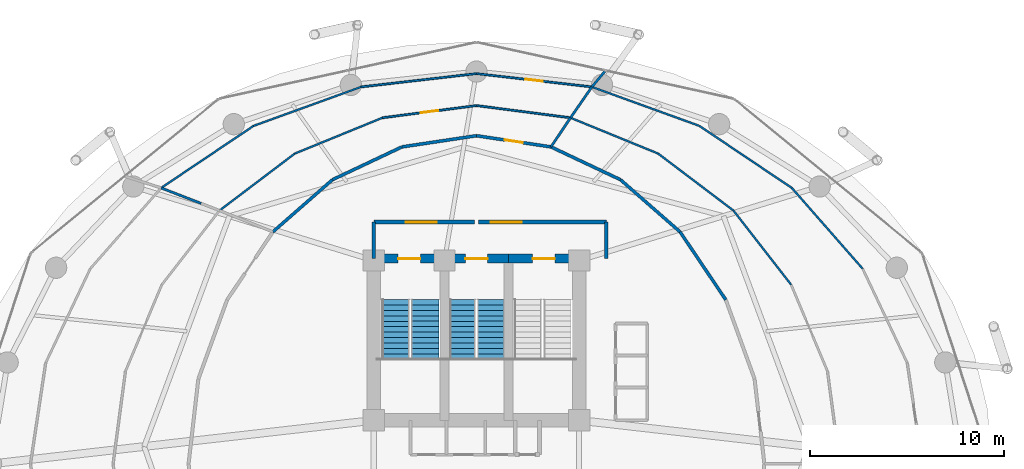
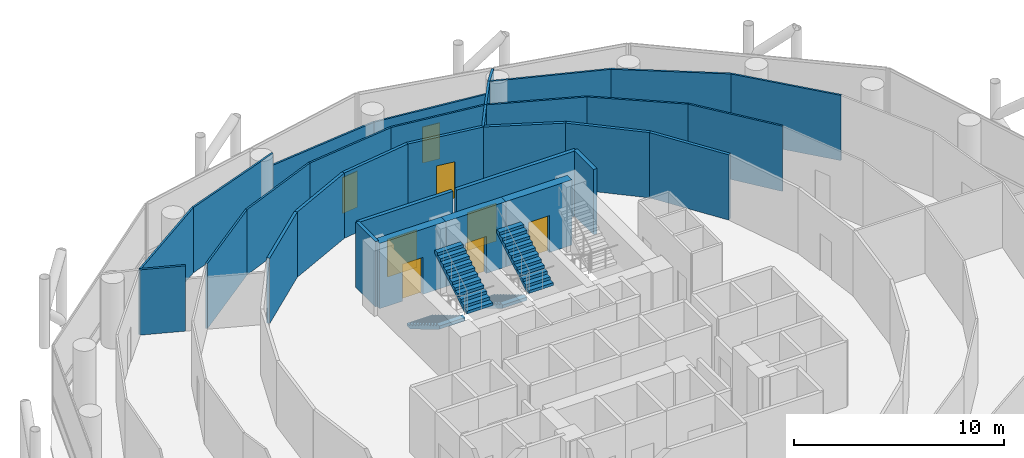
# One storey, part 24 of 26: 32 walls, 8 doors, 4 stair flights, 8 openings, 2 elements without a shape of their own.
"""IFC4 building model written with IfcOpenShell, lengths in metres."""

from ifc_helpers import new_model, si_unit, direction, frame, frame_2d, origin, place, context, subcontext, project, spatial, polyline, rectangle, outline, extrude, material, layer, layer_set, type_object, element, fill, aggregate, save


model = new_model("IFC4")

# Units and contexts
model_context = context("Model", 3, precision=1e-05, world=origin(), true_north=direction((0.0, 1.0)))
body_context = subcontext(model_context, "Body", "Model", "MODEL_VIEW")
ifc_project = project(units=[si_unit("LENGTHUNIT", "METRE"), si_unit("AREAUNIT", "SQUARE_METRE"), si_unit("VOLUMEUNIT", "CUBIC_METRE"), si_unit("PLANEANGLEUNIT", "RADIAN"), si_unit("MASSUNIT", "GRAM", prefix="KILO")], contexts=[model_context])

# Site, building, storey
site_placement = place(None, origin())
site = spatial("IfcSite", under=ifc_project, at=site_placement, CompositionType="ELEMENT")
building_placement = place(site_placement, origin())
building = spatial("IfcBuilding", under=site, at=building_placement, Name="Nuhasar Tower", CompositionType="ELEMENT")
storey_placement = place(building_placement, frame((0.0, 0.0, 93.89990234375)))
storey = spatial("IfcBuildingStorey", under=building, at=storey_placement, Name="L22", CompositionType="ELEMENT", Elevation=93.89990234375)

# Wall, opening, door
ifc_material_1 = material(Name="Concrete C50/60", Category="concrete")
ifc_layer_1 = layer(ifc_material_1, 0.449951171875)
ifc_layer_set_1 = layer_set([ifc_layer_1], Name="Concrete C50/60")
wall_type_1 = type_object("IfcWallType", Name="WL-CORE-450", PredefinedType="SHEAR", material=ifc_layer_set_1)
wall_1_placement = place(storey_placement, frame((37.35009765625, 37.39990234375, 0.0), z_axis=(0.0, 0.0, 1.0), x_axis=(-1.0, 0.0, 0.0)))
wall_1 = element("IfcWall", 1, at=wall_1_placement, inside=storey, type_object=wall_type_1, Name="L22 Stairwell Shear Wall ST01-N", PredefinedType="SHEAR", context=body_context, shape_type="SweptSolid", body=[
    extrude(rectangle(XDim=3.650146484375, YDim=0.449951171875, at=frame_2d((1.8251953125, 0.0))), origin(), (0.0, 0.0, 1.0), 3.800048828125),
])
opening_1_placement = place(wall_1_placement, frame((1.25, 0.0, 0.0)))
opening_1 = element("IfcOpeningElement", 2, at=opening_1_placement, cuts=wall_1, Name="Opening DS-01", PredefinedType="OPENING", context=body_context, shape_type="SweptSolid", body=[
    extrude(rectangle(XDim=1.14990234375, YDim=2.14990234375, at=frame_2d((0.574951171875, 1.074951171875))), frame((0.0, 0.23486328125, 0.0), z_axis=(0.0, -1.0, 0.0), x_axis=(1.0, 0.0, 0.0)), (0.0, 0.0, 1.0), 0.469970703125),
])
ifc_material_2 = material(Name="Steel S355", Category="steel")
door_type_1 = type_object("IfcDoorType", Name="DR-STAIR-FD120-1150", OperationType="NOTDEFINED", PredefinedType="DOOR", material=ifc_material_2)
door_1_placement = place(opening_1_placement, origin())
door_1 = element("IfcDoor", 3, at=door_1_placement, inside=storey, type_object=door_type_1, Name="L22 Exit Stair ST-01 Door", OperationType="SINGLE_SWING_RIGHT", OverallHeight=2.14990234375, OverallWidth=1.14990234375, PredefinedType="DOOR", context=body_context, shape_type="SweptSolid", body=[
    extrude(rectangle(XDim=1.14990234375, YDim=2.14990234375, at=frame_2d((0.574951171875, 1.074951171875))), frame((0.0, 0.02490234375, 0.0), z_axis=(0.0, -1.0, 0.0), x_axis=(1.0, 0.0, 0.0)), (0.0, 0.0, 1.0), 0.050048828125),
])
fill(opening_1, door_1)

wall_2_placement = place(storey_placement, frame((40.64990234375, 37.39990234375, 0.0), z_axis=(0.0, 0.0, 1.0), x_axis=(-1.0, 0.0, 0.0)))
wall_2 = element("IfcWall", 4, at=wall_2_placement, inside=storey, type_object=wall_type_1, Name="L22 Stairwell Shear Wall ST03-N", PredefinedType="SHEAR", context=body_context, shape_type="SweptSolid", body=[
    extrude(rectangle(XDim=3.2998046875, YDim=0.449951171875, at=frame_2d((1.64990234375, 0.0))), origin(), (0.0, 0.0, 1.0), 3.800048828125),
])
opening_2_placement = place(wall_2_placement, frame((1.074951171875, 0.0, 0.0)))
opening_2 = element("IfcOpeningElement", 5, at=opening_2_placement, cuts=wall_2, Name="Opening DS-01", PredefinedType="OPENING", context=body_context, shape_type="SweptSolid", body=[
    extrude(rectangle(XDim=1.14990234375, YDim=2.14990234375, at=frame_2d((0.574951171875, 1.074951171875))), frame((0.0, 0.23486328125, 0.0), z_axis=(0.0, -1.0, 0.0), x_axis=(1.0, 0.0, 0.0)), (0.0, 0.0, 1.0), 0.469970703125),
])
door_2_placement = place(opening_2_placement, origin())
door_2 = element("IfcDoor", 6, at=door_2_placement, inside=storey, type_object=door_type_1, Name="L22 Exit Stair ST-03 Door", OperationType="SINGLE_SWING_RIGHT", OverallHeight=2.14990234375, OverallWidth=1.14990234375, PredefinedType="DOOR", context=body_context, shape_type="SweptSolid", body=[
    extrude(rectangle(XDim=1.14990234375, YDim=2.14990234375, at=frame_2d((0.574951171875, 1.074951171875))), frame((0.0, 0.02490234375, 0.0), z_axis=(0.0, -1.0, 0.0), x_axis=(1.0, 0.0, 0.0)), (0.0, 0.0, 1.0), 0.050048828125),
])
fill(opening_2, door_2)

wall_3_placement = place(storey_placement, frame((44.300048828125, 37.39990234375, 0.0), z_axis=(0.0, 0.0, 1.0), x_axis=(-1.0, 0.0, 0.0)))
wall_3 = element("IfcWall", 7, at=wall_3_placement, inside=storey, type_object=wall_type_1, Name="L22 Stairwell Shear Wall ST02-N", PredefinedType="SHEAR", context=body_context, shape_type="SweptSolid", body=[
    extrude(rectangle(XDim=3.650146484375, YDim=0.449951171875, at=frame_2d((1.8251953125, 0.0))), origin(), (0.0, 0.0, 1.0), 3.800048828125),
])
opening_3_placement = place(wall_3_placement, frame((1.25, 0.0, 0.0)))
opening_3 = element("IfcOpeningElement", 8, at=opening_3_placement, cuts=wall_3, Name="Opening DS-01", PredefinedType="OPENING", context=body_context, shape_type="SweptSolid", body=[
    extrude(rectangle(XDim=1.14990234375, YDim=2.14990234375, at=frame_2d((0.574951171875, 1.074951171875))), frame((0.0, 0.23486328125, 0.0), z_axis=(0.0, -1.0, 0.0), x_axis=(1.0, 0.0, 0.0)), (0.0, 0.0, 1.0), 0.469970703125),
])
door_3_placement = place(opening_3_placement, origin())
door_3 = element("IfcDoor", 9, at=door_3_placement, inside=storey, type_object=door_type_1, Name="L22 Exit Stair ST-02 Door", OperationType="SINGLE_SWING_LEFT", OverallHeight=2.14990234375, OverallWidth=1.14990234375, PredefinedType="DOOR", context=body_context, shape_type="SweptSolid", body=[
    extrude(rectangle(XDim=1.14990234375, YDim=2.14990234375, at=frame_2d((0.574951171875, 1.074951171875))), frame((0.0, 0.02490234375, 0.0), z_axis=(0.0, -1.0, 0.0), x_axis=(1.0, 0.0, 0.0)), (0.0, 0.0, 1.0), 0.050048828125),
])
fill(opening_3, door_3)

# Walls
ifc_material_3 = material(Name="Gypsum Board", Category="gypsum")
ifc_layer_2 = layer(ifc_material_3, 0.159912109375)
ifc_layer_set_2 = layer_set([ifc_layer_2], Name="Gypsum Board")
wall_type_2 = type_object("IfcWallType", Name="WL-CORR-160", PredefinedType="PARTITIONING", material=ifc_layer_set_2)
wall_4_placement = place(storey_placement, frame((51.868896484375, 35.27001953125, 0.0), z_axis=(0.0, 0.0, 1.0), x_axis=(-0.558319056182, 0.829626320402, 0.0)))
element("IfcWall", 10, at=wall_4_placement, inside=storey, type_object=wall_type_2, Name="L22 Interior Partition CORR-04", PredefinedType="PARTITIONING", context=body_context, shape_type="SweptSolid", body=[
    extrude(rectangle(XDim=4.228515625, YDim=0.159912109375, at=frame_2d((2.1142578125, 0.0))), origin(), (0.0, 0.0, 1.0), 3.800048828125),
])
wall_5_placement = place(storey_placement, frame((49.508056640625, 38.778076171875, 0.0), z_axis=(0.0, 0.0, 1.0), x_axis=(-0.75275419575, 0.658301694348, 0.0)))
element("IfcWall", 11, at=wall_5_placement, inside=storey, type_object=wall_type_2, Name="L22 Interior Partition CORR-06", PredefinedType="PARTITIONING", context=body_context, shape_type="SweptSolid", body=[
    extrude(rectangle(XDim=4.089111328125, YDim=0.159912109375, at=frame_2d((2.04443359375, 0.0))), origin(), (0.0, 0.0, 1.0), 3.800048828125),
])
wall_6_placement = place(storey_placement, frame((46.429931640625, 41.469970703125, 0.0), z_axis=(0.0, 0.0, 1.0), x_axis=(-0.904182574226, 0.427146195658, 0.0)))
element("IfcWall", 12, at=wall_6_placement, inside=storey, type_object=wall_type_2, Name="L22 Interior Partition CORR-08", PredefinedType="PARTITIONING", context=body_context, shape_type="SweptSolid", body=[
    extrude(rectangle(XDim=3.9638671875, YDim=0.159912109375, at=frame_2d((1.98193359375, 0.0))), origin(), (0.0, 0.0, 1.0), 3.800048828125),
])

# Wall, opening, door
wall_7_placement = place(storey_placement, frame((39.0, 43.739990234375, 0.0), z_axis=(0.0, 0.0, 1.0), x_axis=(0.988935892392, -0.14834352274, 0.0)))
wall_7 = element("IfcWall", 13, at=wall_7_placement, inside=storey, type_object=wall_type_2, Name="L22 Interior Partition CORR-10", PredefinedType="PARTITIONING", context=body_context, shape_type="SweptSolid", body=[
    extrude(rectangle(XDim=3.888916015625, YDim=0.159912109375, at=frame_2d((1.9443359375, 0.0))), origin(), (0.0, 0.0, 1.0), 3.800048828125),
])
opening_4_placement = place(wall_7_placement, frame((1.469970703125, 0.0, 0.0)))
opening_4 = element("IfcOpeningElement", 14, at=opening_4_placement, cuts=wall_7, Name="Opening DO-01", PredefinedType="OPENING", context=body_context, shape_type="SweptSolid", body=[
    extrude(rectangle(XDim=0.949951171875, YDim=2.14990234375, at=frame_2d((0.47509765625, 1.074951171875))), frame((0.0, 0.08984375, 0.0), z_axis=(0.0, -1.0, 0.0), x_axis=(1.0, 0.0, 0.0)), (0.0, 0.0, 1.0), 0.179931640625),
])
ifc_material_4 = material(Name="Timber Oak", Category="wood")
door_type_2 = type_object("IfcDoorType", Name="DR-OFFICE-FD30-950", OperationType="NOTDEFINED", PredefinedType="DOOR", material=ifc_material_4)
door_4_placement = place(opening_4_placement, origin())
door_4 = element("IfcDoor", 15, at=door_4_placement, inside=storey, type_object=door_type_2, Name="L22 Executive Boardroom Entry Door", OperationType="SINGLE_SWING_RIGHT", OverallHeight=2.14990234375, OverallWidth=0.949951171875, PredefinedType="DOOR", context=body_context, shape_type="SweptSolid", body=[
    extrude(rectangle(XDim=0.949951171875, YDim=2.14990234375, at=frame_2d((0.47509765625, 1.074951171875))), frame((0.0, 0.02490234375, 0.0), z_axis=(0.0, -1.0, 0.0), x_axis=(1.0, 0.0, 0.0)), (0.0, 0.0, 1.0), 0.050048828125),
])
fill(opening_4, door_4)

# Walls
wall_8_placement = place(storey_placement, frame((39.0, 43.739990234375, 0.0), z_axis=(0.0, 0.0, 1.0), x_axis=(-0.988935892392, -0.14834352274, 0.0)))
element("IfcWall", 16, at=wall_8_placement, inside=storey, type_object=wall_type_2, Name="L22 Interior Partition CORR-12", PredefinedType="PARTITIONING", context=body_context, shape_type="SweptSolid", body=[
    extrude(rectangle(XDim=3.888916015625, YDim=0.159912109375, at=frame_2d((1.9443359375, 0.0))), origin(), (0.0, 0.0, 1.0), 3.800048828125),
])
wall_9_placement = place(storey_placement, frame((35.154052734375, 43.1630859375, 0.0), z_axis=(0.0, 0.0, 1.0), x_axis=(-0.904182574226, -0.427146195658, 0.0)))
element("IfcWall", 17, at=wall_9_placement, inside=storey, type_object=wall_type_2, Name="L22 Interior Partition CORR-14", PredefinedType="PARTITIONING", context=body_context, shape_type="SweptSolid", body=[
    extrude(rectangle(XDim=3.9638671875, YDim=0.159912109375, at=frame_2d((1.98193359375, 0.0))), origin(), (0.0, 0.0, 1.0), 3.800048828125),
])
wall_10_placement = place(storey_placement, frame((31.570068359375, 41.469970703125, 0.0), z_axis=(0.0, 0.0, 1.0), x_axis=(-0.75275419575, -0.658301694348, 0.0)))
element("IfcWall", 18, at=wall_10_placement, inside=storey, type_object=wall_type_2, Name="L22 Interior Partition CORR-16", PredefinedType="PARTITIONING", context=body_context, shape_type="SweptSolid", body=[
    extrude(rectangle(XDim=4.089111328125, YDim=0.159912109375, at=frame_2d((2.04443359375, 0.0))), origin(), (0.0, 0.0, 1.0), 3.800048828125),
])
ifc_material_5 = material(Name="Concrete C45/55", Category="concrete")
ifc_layer_3 = layer(ifc_material_5, 0.199951171875)
ifc_layer_set_3 = layer_set([ifc_layer_3], Name="Concrete C45/55")
wall_type_3 = type_object("IfcWallType", Name="WL-LOBBY-200", PredefinedType="SOLIDWALL", material=ifc_layer_set_3)
for number, where, z_axis, x_axis, name in (
    (19, (33.699951171875, 37.39990234375, 0.0), (0.0, 0.0, 1.0), (0.0, 1.0, 0.0), "L22 Interior Partition NSL-W"),
    (20, (45.699951171875, 37.39990234375, 0.0), (0.0, 0.0, 1.0), (0.0, 1.0, 0.0), "L22 Interior Partition NSL-E"),
):
    element("IfcWall", number, at=place(storey_placement, frame(where, z_axis=z_axis, x_axis=x_axis)), inside=storey, type_object=wall_type_3, Name=name, PredefinedType="SOLIDWALL", context=body_context, shape_type="SweptSolid", body=[
        extrude(rectangle(XDim=1.880126953125, YDim=0.199951171875, at=frame_2d((0.93994140625, 0.0))), origin(), (0.0, 0.0, 1.0), 3.800048828125),
    ])

# Wall, opening, door
wall_11_placement = place(storey_placement, frame((38.89990234375, 39.280029296875, 0.0), z_axis=(0.0, 0.0, 1.0), x_axis=(-1.0, 0.0, 0.0)))
wall_11 = element("IfcWall", 21, at=wall_11_placement, inside=storey, type_object=wall_type_3, Name="L22 Interior Partition NSL-N1", PredefinedType="SOLIDWALL", context=body_context, shape_type="SweptSolid", body=[
    extrude(rectangle(XDim=5.199951171875, YDim=0.199951171875, at=frame_2d((2.60009765625, 0.0))), origin(), (0.0, 0.0, 1.0), 3.800048828125),
])
opening_5_placement = place(wall_11_placement, frame((1.949951171875, 0.0, 0.0)))
opening_5 = element("IfcOpeningElement", 22, at=opening_5_placement, cuts=wall_11, Name="Opening DC-01", PredefinedType="OPENING", context=body_context, shape_type="SweptSolid", body=[
    extrude(rectangle(XDim=1.60009765625, YDim=2.199951171875, at=frame_2d((0.800048828125, 1.10009765625))), frame((0.0, 0.10986328125, 0.0), z_axis=(0.0, -1.0, 0.0), x_axis=(1.0, 0.0, 0.0)), (0.0, 0.0, 1.0), 0.219970703125),
])
door_type_3 = type_object("IfcDoorType", Name="DR-CORR-FD60-1600", OperationType="DOUBLE_DOOR_SINGLE_SWING", PredefinedType="DOOR", material=ifc_material_2)
door_5_placement = place(opening_5_placement, origin())
door_5 = element("IfcDoor", 23, at=door_5_placement, inside=storey, type_object=door_type_3, Name="L22 North Stair Lobby West Door", OperationType="DOUBLE_DOOR_SINGLE_SWING", OverallHeight=2.199951171875, OverallWidth=1.60009765625, PredefinedType="DOOR", context=body_context, shape_type="SweptSolid", body=[
    extrude(rectangle(XDim=1.60009765625, YDim=2.199951171875, at=frame_2d((0.800048828125, 1.10009765625))), frame((0.0, 0.02490234375, 0.0), z_axis=(0.0, -1.0, 0.0), x_axis=(1.0, 0.0, 0.0)), (0.0, 0.0, 1.0), 0.050048828125),
])
fill(opening_5, door_5)

wall_12_placement = place(storey_placement, frame((45.699951171875, 39.280029296875, 0.0), z_axis=(0.0, 0.0, 1.0), x_axis=(-1.0, 0.0, 0.0)))
wall_12 = element("IfcWall", 24, at=wall_12_placement, inside=storey, type_object=wall_type_3, Name="L22 Interior Partition NSL-N2", PredefinedType="SOLIDWALL", context=body_context, shape_type="SweptSolid", body=[
    extrude(rectangle(XDim=6.599853515625, YDim=0.199951171875, at=frame_2d((3.2998046875, 0.0))), origin(), (0.0, 0.0, 1.0), 3.800048828125),
])
opening_6_placement = place(wall_12_placement, frame((4.35009765625, 0.0, 0.0)))
opening_6 = element("IfcOpeningElement", 25, at=opening_6_placement, cuts=wall_12, Name="Opening DC-01", PredefinedType="OPENING", context=body_context, shape_type="SweptSolid", body=[
    extrude(rectangle(XDim=1.60009765625, YDim=2.199951171875, at=frame_2d((0.800048828125, 1.10009765625))), frame((0.0, 0.10986328125, 0.0), z_axis=(0.0, -1.0, 0.0), x_axis=(1.0, 0.0, 0.0)), (0.0, 0.0, 1.0), 0.219970703125),
])
door_6_placement = place(opening_6_placement, origin())
door_6 = element("IfcDoor", 26, at=door_6_placement, inside=storey, type_object=door_type_3, Name="L22 North Stair Lobby East Door", OperationType="DOUBLE_DOOR_SINGLE_SWING", OverallHeight=2.199951171875, OverallWidth=1.60009765625, PredefinedType="DOOR", context=body_context, shape_type="SweptSolid", body=[
    extrude(rectangle(XDim=1.60009765625, YDim=2.199951171875, at=frame_2d((0.800048828125, 1.10009765625))), frame((0.0, 0.02490234375, 0.0), z_axis=(0.0, -1.0, 0.0), x_axis=(1.0, 0.0, 0.0)), (0.0, 0.0, 1.0), 0.050048828125),
])
fill(opening_6, door_6)

# Walls
ifc_material_6 = material(Name="Aluminium 6063-T6", Category="aluminium")
ifc_layer_4 = layer(ifc_material_6, 0.10009765625)
ifc_layer_set_4 = layer_set([ifc_layer_4], Name="Aluminium 6063-T6")
wall_type_4 = type_object("IfcWallType", Name="WL-MOVABLE-100", PredefinedType="MOVABLE", material=ifc_layer_set_4)
wall_13_placement = place(storey_placement, frame((55.241943359375, 36.048095703125, 0.0), z_axis=(0.0, 0.0, 1.0), x_axis=(-0.613999814684, 0.789306168459, 0.0)))
element("IfcWall", 27, at=wall_13_placement, inside=storey, type_object=wall_type_4, Name="L22 Interior Partition OR1-01-04", PredefinedType="MOVABLE", context=body_context, shape_type="SweptSolid", body=[
    extrude(rectangle(XDim=4.853271484375, YDim=0.10009765625, at=frame_2d((2.4267578125, 0.0))), origin(), (0.0, 0.0, 1.0), 3.800048828125),
])
wall_14_placement = place(storey_placement, frame((52.261962890625, 39.87890625, 0.0), z_axis=(0.0, 0.0, 1.0), x_axis=(-0.797485241188, 0.60333845401, 0.0)))
element("IfcWall", 28, at=wall_14_placement, inside=storey, type_object=wall_type_4, Name="L22 Interior Partition OR1-01-06", PredefinedType="MOVABLE", context=body_context, shape_type="SweptSolid", body=[
    extrude(rectangle(XDim=4.87158203125, YDim=0.10009765625, at=frame_2d((2.435791015625, 0.0))), origin(), (0.0, 0.0, 1.0), 3.800048828125),
])
wall_15_placement = place(storey_placement, frame((48.376953125, 42.818115234375, 0.0), z_axis=(0.0, 0.0, 1.0), x_axis=(-0.925718788243, 0.378212539577, 0.0)))
element("IfcWall", 29, at=wall_15_placement, inside=storey, type_object=wall_type_4, Name="L22 Interior Partition OR1-01-08", PredefinedType="MOVABLE", context=body_context, shape_type="SweptSolid", body=[
    extrude(rectangle(XDim=4.885986328125, YDim=0.10009765625, at=frame_2d((2.44287109375, 0.0))), origin(), (0.0, 0.0, 1.0), 3.800048828125),
])
wall_16_placement = place(storey_placement, frame((58.93408203125, 36.873046875, 0.0), z_axis=(0.0, 0.0, 1.0), x_axis=(-0.659301696391, 0.751878496258, 0.0)))
element("IfcWall", 30, at=wall_16_placement, inside=storey, type_object=wall_type_4, Name="L22 Interior Partition OR2-01-04", PredefinedType="MOVABLE", context=body_context, shape_type="SweptSolid", body=[
    extrude(rectangle(XDim=5.548583984375, YDim=0.10009765625, at=frame_2d((2.7744140625, 0.0))), origin(), (0.0, 0.0, 1.0), 3.800048828125),
])
wall_17_placement = place(storey_placement, frame((55.27587890625, 41.044921875, 0.0), z_axis=(0.0, 0.0, 1.0), x_axis=(-0.830174745772, 0.557503265893, 0.0)))
element("IfcWall", 31, at=wall_17_placement, inside=storey, type_object=wall_type_4, Name="L22 Interior Partition OR2-01-06", PredefinedType="MOVABLE", context=body_context, shape_type="SweptSolid", body=[
    extrude(rectangle(XDim=5.741943359375, YDim=0.10009765625, at=frame_2d((2.87109375, 0.0))), origin(), (0.0, 0.0, 1.0), 3.800048828125),
])
wall_18_placement = place(storey_placement, frame((50.509033203125, 44.24609375, 0.0), z_axis=(0.0, 0.0, 1.0), x_axis=(-0.940117685929, 0.340850020689, 0.0)))
element("IfcWall", 32, at=wall_18_placement, inside=storey, type_object=wall_type_4, Name="L22 Interior Partition OR2-01-08", PredefinedType="MOVABLE", context=body_context, shape_type="SweptSolid", body=[
    extrude(rectangle(XDim=5.90576171875, YDim=0.10009765625, at=frame_2d((2.952880859375, 0.0))), origin(), (0.0, 0.0, 1.0), 3.800048828125),
])
wall_19_placement = place(storey_placement, frame((43.85400390625, 44.666015625, 0.0), z_axis=(0.0, 0.0, 1.0), x_axis=(-0.991685305255, 0.128686655646, 0.0)))
element("IfcWall", 33, at=wall_19_placement, inside=storey, type_object=wall_type_4, Name="L22 Interior Partition OR1-02-10", PredefinedType="MOVABLE", context=body_context, shape_type="SweptSolid", body=[
    extrude(rectangle(XDim=4.894775390625, YDim=0.10009765625, at=frame_2d((2.447265625, 0.0))), origin(), (0.0, 0.0, 1.0), 3.800048828125),
])

# Wall, opening, door
wall_20_placement = place(storey_placement, frame((39.0, 45.2958984375, 0.0), z_axis=(0.0, 0.0, 1.0), x_axis=(-0.991685305255, -0.128686655646, 0.0)))
wall_20 = element("IfcWall", 34, at=wall_20_placement, inside=storey, type_object=wall_type_4, Name="L22 Interior Partition OR1-02-12", PredefinedType="MOVABLE", context=body_context, shape_type="SweptSolid", body=[
    extrude(rectangle(XDim=4.894775390625, YDim=0.10009765625, at=frame_2d((2.447265625, 0.0))), origin(), (0.0, 0.0, 1.0), 3.800048828125),
])
opening_7_placement = place(wall_20_placement, frame((1.9970703125, 0.0, 0.0)))
opening_7 = element("IfcOpeningElement", 35, at=opening_7_placement, cuts=wall_20, Name="Opening DR-01", PredefinedType="OPENING", context=body_context, shape_type="SweptSolid", body=[
    extrude(rectangle(XDim=0.89990234375, YDim=2.10009765625, at=frame_2d((0.449951171875, 1.050048828125))), frame((0.0, 0.06005859375, 0.0), z_axis=(0.0, -1.0, 0.0), x_axis=(1.0, 0.0, 0.0)), (0.0, 0.0, 1.0), 0.1201171875),
])
door_type_4 = type_object("IfcDoorType", Name="DR-ROOM-900", OperationType="NOTDEFINED", PredefinedType="DOOR", material=ifc_material_4)
door_7_placement = place(opening_7_placement, origin())
door_7 = element("IfcDoor", 36, at=door_7_placement, inside=storey, type_object=door_type_4, Name="L22 Executive Boardroom Mid Door", OperationType="SINGLE_SWING_RIGHT", OverallHeight=2.10009765625, OverallWidth=0.89990234375, PredefinedType="DOOR", context=body_context, shape_type="SweptSolid", body=[
    extrude(rectangle(XDim=0.89990234375, YDim=2.10009765625, at=frame_2d((0.449951171875, 1.050048828125))), frame((0.0, 0.02490234375, 0.0), z_axis=(0.0, -1.0, 0.0), x_axis=(1.0, 0.0, 0.0)), (0.0, 0.0, 1.0), 0.050048828125),
])
fill(opening_7, door_7)

# Walls
wall_21_placement = place(storey_placement, frame((34.14599609375, 44.666015625, 0.0), z_axis=(0.0, 0.0, 1.0), x_axis=(-0.925718788243, -0.378212539577, 0.0)))
element("IfcWall", 37, at=wall_21_placement, inside=storey, type_object=wall_type_4, Name="L22 Interior Partition OR1-02-14", PredefinedType="MOVABLE", context=body_context, shape_type="SweptSolid", body=[
    extrude(rectangle(XDim=4.885986328125, YDim=0.10009765625, at=frame_2d((2.44287109375, 0.0))), origin(), (0.0, 0.0, 1.0), 3.800048828125),
])
wall_22_placement = place(storey_placement, frame((29.623046875, 42.818115234375, 0.0), z_axis=(0.0, 0.0, 1.0), x_axis=(-0.797485241188, -0.60333845401, 0.0)))
element("IfcWall", 38, at=wall_22_placement, inside=storey, type_object=wall_type_4, Name="L22 Interior Partition OR1-02-16", PredefinedType="MOVABLE", context=body_context, shape_type="SweptSolid", body=[
    extrude(rectangle(XDim=4.87158203125, YDim=0.10009765625, at=frame_2d((2.435791015625, 0.0))), origin(), (0.0, 0.0, 1.0), 3.800048828125),
])

# Wall, opening, door
wall_23_placement = place(storey_placement, frame((44.95703125, 46.259033203125, 0.0), z_axis=(0.0, 0.0, 1.0), x_axis=(-0.993433875949, 0.114407753747, 0.0)))
wall_23 = element("IfcWall", 39, at=wall_23_placement, inside=storey, type_object=wall_type_4, Name="L22 Interior Partition OR2-02-10", PredefinedType="MOVABLE", context=body_context, shape_type="SweptSolid", body=[
    extrude(rectangle(XDim=5.996337890625, YDim=0.10009765625, at=frame_2d((2.998046875, 0.0))), origin(), (0.0, 0.0, 1.0), 3.10498046875),
])
opening_8_placement = place(wall_23_placement, frame((2.548095703125, 0.0, 0.0)))
opening_8 = element("IfcOpeningElement", 40, at=opening_8_placement, cuts=wall_23, Name="Opening DR-01", PredefinedType="OPENING", context=body_context, shape_type="SweptSolid", body=[
    extrude(rectangle(XDim=0.89990234375, YDim=2.10009765625, at=frame_2d((0.449951171875, 1.050048828125))), frame((0.0, 0.06005859375, 0.0), z_axis=(0.0, -1.0, 0.0), x_axis=(1.0, 0.0, 0.0)), (0.0, 0.0, 1.0), 0.1201171875),
])
door_8_placement = place(opening_8_placement, origin())
door_8 = element("IfcDoor", 41, at=door_8_placement, inside=storey, type_object=door_type_4, Name="L22 Executive Boardroom Outer Door", OperationType="SINGLE_SWING_LEFT", OverallHeight=2.10009765625, OverallWidth=0.89990234375, PredefinedType="DOOR", context=body_context, shape_type="SweptSolid", body=[
    extrude(rectangle(XDim=0.89990234375, YDim=2.10009765625, at=frame_2d((0.449951171875, 1.050048828125))), frame((0.0, 0.02490234375, 0.0), z_axis=(0.0, -1.0, 0.0), x_axis=(1.0, 0.0, 0.0)), (0.0, 0.0, 1.0), 0.050048828125),
])
fill(opening_8, door_8)

# Walls
wall_24_placement = place(storey_placement, frame((39.0, 46.945068359375, 0.0), z_axis=(0.0, 0.0, 1.0), x_axis=(-0.993433875949, -0.114407753747, 0.0)))
element("IfcWall", 42, at=wall_24_placement, inside=storey, type_object=wall_type_4, Name="L22 Interior Partition OR2-02-12", PredefinedType="MOVABLE", context=body_context, shape_type="SweptSolid", body=[
    extrude(rectangle(XDim=5.996337890625, YDim=0.10009765625, at=frame_2d((2.998046875, 0.0))), origin(), (0.0, 0.0, 1.0), 3.10498046875),
])
wall_25_placement = place(storey_placement, frame((33.04296875, 46.259033203125, 0.0), z_axis=(0.0, 0.0, 1.0), x_axis=(-0.940117685929, -0.340850020689, 0.0)))
element("IfcWall", 43, at=wall_25_placement, inside=storey, type_object=wall_type_4, Name="L22 Interior Partition OR2-02-14", PredefinedType="MOVABLE", context=body_context, shape_type="SweptSolid", body=[
    extrude(rectangle(XDim=5.90576171875, YDim=0.10009765625, at=frame_2d((2.952880859375, 0.0))), origin(), (0.0, 0.0, 1.0), 3.800048828125),
])
wall_26_placement = place(storey_placement, frame((27.490966796875, 44.24609375, 0.0), z_axis=(0.0, 0.0, 1.0), x_axis=(-0.830174745772, -0.557503265893, 0.0)))
element("IfcWall", 44, at=wall_26_placement, inside=storey, type_object=wall_type_4, Name="L22 Interior Partition OR2-02-16", PredefinedType="MOVABLE", context=body_context, shape_type="SweptSolid", body=[
    extrude(rectangle(XDim=5.741943359375, YDim=0.10009765625, at=frame_2d((2.87109375, 0.0))), origin(), (0.0, 0.0, 1.0), 3.800048828125),
])
ifc_layer_5 = layer(ifc_material_3, 0.125)
ifc_layer_set_5 = layer_set([ifc_layer_5], Name="Gypsum Board")
wall_type_5 = type_object("IfcWallType", Name="WL-PART-125", PredefinedType="PARTITIONING", material=ifc_layer_set_5)
wall_27_placement = place(storey_placement, frame((42.845947265625, 43.1630859375, 0.0), z_axis=(0.0, 0.0, 1.0), x_axis=(0.557032949089, 0.83049039346, 0.0)))
element("IfcWall", 45, at=wall_27_placement, inside=storey, type_object=wall_type_5, Name="L22 Interior Partition ORAD7-10-S1", PredefinedType="PARTITIONING", context=body_context, shape_type="SweptSolid", body=[
    extrude(rectangle(XDim=1.8095703125, YDim=0.125, at=frame_2d((0.90478515625, 0.0))), origin(), (0.0, 0.0, 1.0), 3.800048828125),
])
wall_28_placement = place(storey_placement, frame((43.85400390625, 44.666015625, 0.0), z_axis=(0.0, 0.0, 1.0), x_axis=(0.569268945464, 0.822151365461, 0.0)))
element("IfcWall", 46, at=wall_28_placement, inside=storey, type_object=wall_type_5, Name="L22 Interior Partition ORAD7-10-S2", PredefinedType="PARTITIONING", context=body_context, shape_type="SweptSolid", body=[
    extrude(rectangle(XDim=1.9375, YDim=0.125, at=frame_2d((0.96875, 0.0))), origin(), (0.0, 0.0, 1.0), 3.800048828125),
])
wall_29_placement = place(storey_placement, frame((44.95703125, 46.259033203125, 0.0), z_axis=(0.0, 0.0, 1.0), x_axis=(0.640184399664, 0.768221279597, 0.0)))
element("IfcWall", 47, at=wall_29_placement, inside=storey, type_object=wall_type_5, Name="L22 Interior Partition ORAD7-10-S3", PredefinedType="PARTITIONING", context=body_context, shape_type="SweptSolid", body=[
    extrude(rectangle(XDim=1.054443359375, YDim=0.125, at=frame_2d((0.52734375, 0.0))), origin(), (0.0, 0.0, 1.0), 3.800048828125),
])
wall_30_placement = place(storey_placement, frame((24.791015625, 40.2451171875, 0.0), z_axis=(0.0, 0.0, 1.0), x_axis=(-0.932611158557, 0.360882843779, 0.0)))
element("IfcWall", 48, at=wall_30_placement, inside=storey, type_object=wall_type_5, Name="L22 Interior Partition ORAD7-18-S2", PredefinedType="PARTITIONING", context=body_context, shape_type="SweptSolid", body=[
    extrude(rectangle(XDim=2.21630859375, YDim=0.125, at=frame_2d((1.108154296875, 0.0))), origin(), (0.0, 0.0, 1.0), 3.800048828125),
])

# Stair, stair flights
stair_type_1 = type_object("IfcStairType", Name="STR-ST-01-2F-24R-1688", PredefinedType="HALF_TURN_STAIR", material=ifc_material_5)
stair_1_placement = place(storey_placement, origin())
stair_1 = element("IfcStair", 49, at=stair_1_placement, inside=storey, type_object=stair_type_1, Name="L22 Exit Stair ST-01", PredefinedType="HALF_TURN_STAIR")
stair_flight_type_1 = type_object("IfcStairFlightType", Name="SFL-ST-01-12R-1688", PredefinedType="STRAIGHT", material=ifc_material_5)
stair_flight_1_placement = place(storey_placement, frame((34.830078125, 35.284912109375, 0.0), z_axis=(0.0, 0.0, 1.0), x_axis=(0.0, -1.0, 0.0)))
stair_flight_1 = element("IfcStairFlight", 50, at=stair_flight_1_placement, type_object=stair_flight_type_1, Name="ST-01 flight 1", NumberOfRisers=12, NumberOfTreads=11, PredefinedType="STRAIGHT", RiserHeight=0.16875, TreadLength=0.28, context=body_context, shape_type="SweptSolid", body=[
    extrude(outline(polyline([(0.0, 0.0), (0.0, 0.168701171875), (0.280029296875, 0.168701171875), (0.280029296875, 0.33740234375), (0.56005859375, 0.33740234375), (0.56005859375, 0.50634765625), (0.840087890625, 0.50634765625), (0.840087890625, 0.675048828125), (1.1201171875, 0.675048828125), (1.1201171875, 0.84375), (1.39990234375, 0.84375), (1.39990234375, 1.012451171875), (1.679931640625, 1.012451171875), (1.679931640625, 1.18115234375), (1.9599609375, 1.18115234375), (1.9599609375, 1.35009765625), (2.239990234375, 1.35009765625), (2.239990234375, 1.518798828125), (2.52001953125, 1.518798828125), (2.52001953125, 1.6875), (2.800048828125, 1.6875), (2.800048828125, 1.856201171875), (3.080078125, 1.856201171875), (3.080078125, 2.02490234375), (3.080078125, 1.66943359375), (0.309814453125, 0.0), (0.0, 0.0)])), frame((0.0, 0.7099609375, 0.0), z_axis=(0.0, -1.0, 0.0), x_axis=(1.0, 0.0, 0.0)), (0.0, 0.0, 1.0), 1.419921875),
])
stair_flight_2_placement = place(storey_placement, frame((36.35009765625, 32.205078125, 2.025146484375), z_axis=(0.0, 0.0, 1.0), x_axis=(0.0, 1.0, 0.0)))
stair_flight_2 = element("IfcStairFlight", 51, at=stair_flight_2_placement, type_object=stair_flight_type_1, Name="ST-01 flight 2", NumberOfRisers=12, NumberOfTreads=11, PredefinedType="STRAIGHT", RiserHeight=0.16875, TreadLength=0.28, context=body_context, shape_type="SweptSolid", body=[
    extrude(outline(polyline([(0.0, 0.0), (0.0, 0.168701171875), (0.280029296875, 0.168701171875), (0.280029296875, 0.33740234375), (0.56005859375, 0.33740234375), (0.56005859375, 0.50634765625), (0.840087890625, 0.50634765625), (0.840087890625, 0.675048828125), (1.1201171875, 0.675048828125), (1.1201171875, 0.84375), (1.39990234375, 0.84375), (1.39990234375, 1.012451171875), (1.679931640625, 1.012451171875), (1.679931640625, 1.18115234375), (1.9599609375, 1.18115234375), (1.9599609375, 1.35009765625), (2.239990234375, 1.35009765625), (2.239990234375, 1.518798828125), (2.52001953125, 1.518798828125), (2.52001953125, 1.6875), (2.800048828125, 1.6875), (2.800048828125, 1.856201171875), (3.080078125, 1.856201171875), (3.080078125, 2.02490234375), (3.080078125, 1.66943359375), (0.309814453125, 0.0), (0.0, 0.0)])), frame((0.0, 0.7099609375, 0.0), z_axis=(0.0, -1.0, 0.0), x_axis=(1.0, 0.0, 0.0)), (0.0, 0.0, 1.0), 1.419921875),
])
aggregate(stair_1, [stair_flight_1, stair_flight_2])

stair_type_2 = type_object("IfcStairType", Name="STR-ST-03-2F-24R-1688", PredefinedType="HALF_TURN_STAIR", material=ifc_material_5)
stair_2_placement = place(storey_placement, origin())
stair_2 = element("IfcStair", 52, at=stair_2_placement, inside=storey, type_object=stair_type_2, Name="L22 Exit Stair ST-03", PredefinedType="HALF_TURN_STAIR")
stair_flight_type_2 = type_object("IfcStairFlightType", Name="SFL-ST-03-12R-1688", PredefinedType="STRAIGHT", material=ifc_material_5)
stair_flight_3_placement = place(storey_placement, frame((38.280029296875, 35.284912109375, 0.0), z_axis=(0.0, 0.0, 1.0), x_axis=(0.0, -1.0, 0.0)))
stair_flight_3 = element("IfcStairFlight", 53, at=stair_flight_3_placement, type_object=stair_flight_type_2, Name="ST-03 flight 1", NumberOfRisers=12, NumberOfTreads=11, PredefinedType="STRAIGHT", RiserHeight=0.16875, TreadLength=0.28, context=body_context, shape_type="SweptSolid", body=[
    extrude(outline(polyline([(0.0, 0.0), (0.0, 0.168701171875), (0.280029296875, 0.168701171875), (0.280029296875, 0.33740234375), (0.56005859375, 0.33740234375), (0.56005859375, 0.50634765625), (0.840087890625, 0.50634765625), (0.840087890625, 0.675048828125), (1.1201171875, 0.675048828125), (1.1201171875, 0.84375), (1.39990234375, 0.84375), (1.39990234375, 1.012451171875), (1.679931640625, 1.012451171875), (1.679931640625, 1.18115234375), (1.9599609375, 1.18115234375), (1.9599609375, 1.35009765625), (2.239990234375, 1.35009765625), (2.239990234375, 1.518798828125), (2.52001953125, 1.518798828125), (2.52001953125, 1.6875), (2.800048828125, 1.6875), (2.800048828125, 1.856201171875), (3.080078125, 1.856201171875), (3.080078125, 2.02490234375), (3.080078125, 1.66943359375), (0.309814453125, 0.0), (0.0, 0.0)])), frame((0.0, 0.669921875, 0.0), z_axis=(0.0, -1.0, 0.0), x_axis=(1.0, 0.0, 0.0)), (0.0, 0.0, 1.0), 1.340087890625),
])
stair_flight_4_placement = place(storey_placement, frame((39.719970703125, 32.205078125, 2.025146484375), z_axis=(0.0, 0.0, 1.0), x_axis=(0.0, 1.0, 0.0)))
stair_flight_4 = element("IfcStairFlight", 54, at=stair_flight_4_placement, type_object=stair_flight_type_2, Name="ST-03 flight 2", NumberOfRisers=12, NumberOfTreads=11, PredefinedType="STRAIGHT", RiserHeight=0.16875, TreadLength=0.28, context=body_context, shape_type="SweptSolid", body=[
    extrude(outline(polyline([(0.0, 0.0), (0.0, 0.168701171875), (0.280029296875, 0.168701171875), (0.280029296875, 0.33740234375), (0.56005859375, 0.33740234375), (0.56005859375, 0.50634765625), (0.840087890625, 0.50634765625), (0.840087890625, 0.675048828125), (1.1201171875, 0.675048828125), (1.1201171875, 0.84375), (1.39990234375, 0.84375), (1.39990234375, 1.012451171875), (1.679931640625, 1.012451171875), (1.679931640625, 1.18115234375), (1.9599609375, 1.18115234375), (1.9599609375, 1.35009765625), (2.239990234375, 1.35009765625), (2.239990234375, 1.518798828125), (2.52001953125, 1.518798828125), (2.52001953125, 1.6875), (2.800048828125, 1.6875), (2.800048828125, 1.856201171875), (3.080078125, 1.856201171875), (3.080078125, 2.02490234375), (3.080078125, 1.66943359375), (0.309814453125, 0.0), (0.0, 0.0)])), frame((0.0, 0.669921875, 0.0), z_axis=(0.0, -1.0, 0.0), x_axis=(1.0, 0.0, 0.0)), (0.0, 0.0, 1.0), 1.340087890625),
])
aggregate(stair_2, [stair_flight_3, stair_flight_4])

save(model, "model.ifc")
